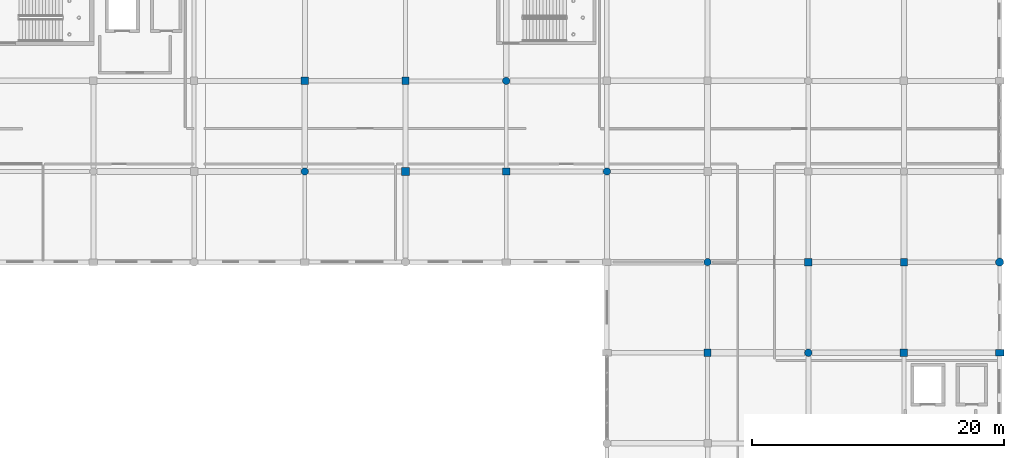
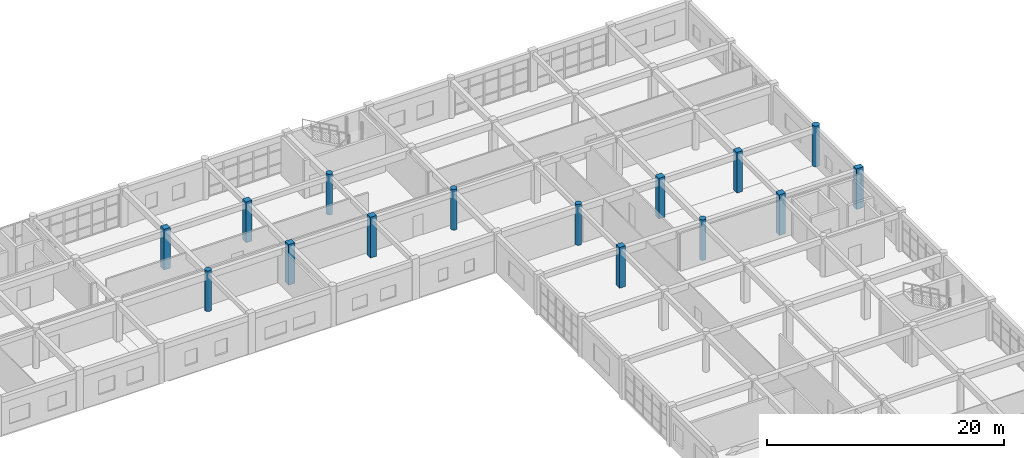
# One storey, part 6 of 53: 15 columns.
"""IFC4 building model written with IfcOpenShell, lengths in metres."""

from ifc_helpers import new_model, si_unit, direction, frame, origin, origin_2d, place, context, subcontext, project, spatial, rectangle, circle, extrude, material, material_profile, profile_set, type_object, element, save


model = new_model("IFC4")

# Units and contexts
model_context = context("Model", 3, precision=1e-05, world=origin(), true_north=direction((0.0, 1.0)))
body_context = subcontext(model_context, "Body", "Model", "MODEL_VIEW")
ifc_project = project(units=[si_unit("LENGTHUNIT", "METRE"), si_unit("AREAUNIT", "SQUARE_METRE"), si_unit("VOLUMEUNIT", "CUBIC_METRE"), si_unit("PLANEANGLEUNIT", "RADIAN"), si_unit("MASSUNIT", "GRAM", prefix="KILO")], contexts=[model_context])

# Site, building, storey
site_placement = place(None, origin())
site = spatial("IfcSite", under=ifc_project, at=site_placement, CompositionType="ELEMENT")
building_placement = place(site_placement, origin())
building = spatial("IfcBuilding", under=site, at=building_placement, Name="Kharva Crest Polytechnic", CompositionType="ELEMENT")
storey_placement = place(building_placement, frame((0.0, 0.0, 17.39990234375)))
storey = spatial("IfcBuildingStorey", under=building, at=storey_placement, Name="L04", CompositionType="ELEMENT", Elevation=17.39990234375)

# Columns
ifc_material = material(Name="Concrete C40/50", Category="concrete")
ifc_material_profile_1 = material_profile(ifc_material, rectangle(XDim=0.679931640625, YDim=0.5, at=origin_2d()), Name="RECT 680 X 500")
ifc_profile_set_1 = profile_set([ifc_material_profile_1], Name="Concrete C40/50")
column_type_1 = type_object("IfcColumnType", Name="COL-EXT-680X500", PredefinedType="COLUMN", material=ifc_profile_set_1)
column_1_placement = place(storey_placement, frame((184.0, 93.199951171875, 0.0), z_axis=(0.0, 0.0, 1.0), x_axis=(1.0, 0.0, 0.0)))
element("IfcColumn", 1, at=column_1_placement, inside=storey, type_object=column_type_1, Name="L04 Column 24/N", PredefinedType="COLUMN", context=body_context, shape_type="SweptSolid", body=[
    extrude(rectangle(XDim=0.679931640625, YDim=0.5, at=origin_2d()), origin(), (0.0, 0.0, 1.0), 4.2001953125),
])
ifc_material_profile_2 = material_profile(ifc_material, circle(Radius=0.320068359375, at=origin_2d()), Name="DIA 640")
ifc_profile_set_2 = profile_set([ifc_material_profile_2], Name="Concrete C40/50")
column_type_2 = type_object("IfcColumnType", Name="COL-EXT-DIA640", PredefinedType="COLUMN", material=ifc_profile_set_2)
column_2_placement = place(storey_placement, frame((184.0, 100.39990234375, 0.0), z_axis=(0.0, 0.0, 1.0), x_axis=(1.0, 0.0, 0.0)))
element("IfcColumn", 2, at=column_2_placement, inside=storey, type_object=column_type_2, Name="L04 Column 24/P", PredefinedType="COLUMN", context=body_context, shape_type="SweptSolid", body=[
    extrude(circle(Radius=0.320068359375, at=origin_2d()), origin(), (0.0, 0.0, 1.0), 4.2001953125),
])
ifc_material_profile_3 = material_profile(ifc_material, rectangle(XDim=0.580078125, YDim=0.580078125, at=origin_2d()), Name="RECT 580 X 580")
ifc_profile_set_3 = profile_set([ifc_material_profile_3], Name="Concrete C40/50")
column_type_3 = type_object("IfcColumnType", Name="COL-INT-580X580", PredefinedType="COLUMN", material=ifc_profile_set_3)
for number, where, z_axis, x_axis, name in (
    (3, (136.800048828125, 114.800048828125, 0.0), (0.0, 0.0, 1.0), (1.0, 0.0, 0.0), "L04 Column 18/R"),
    (4, (144.800048828125, 107.60009765625, 0.0), (0.0, 0.0, 1.0), (1.0, 0.0, 0.0), "L04 Column 19/Q"),
    (5, (160.800048828125, 93.199951171875, 0.0), (0.0, 0.0, 1.0), (1.0, 0.0, 0.0), "L04 Column 21/N"),
    (6, (176.39990234375, 100.39990234375, 0.0), (0.0, 0.0, 1.0), (1.0, 0.0, 0.0), "L04 Column 23/P"),
):
    element("IfcColumn", number, at=place(storey_placement, frame(where, z_axis=z_axis, x_axis=x_axis)), inside=storey, type_object=column_type_3, Name=name, PredefinedType="COLUMN", context=body_context, shape_type="SweptSolid", body=[
        extrude(rectangle(XDim=0.580078125, YDim=0.580078125, at=origin_2d()), origin(), (0.0, 0.0, 1.0), 4.2001953125),
    ])
ifc_material_profile_4 = material_profile(ifc_material, rectangle(XDim=0.60009765625, YDim=0.60009765625, at=origin_2d()), Name="RECT 600 X 600")
ifc_profile_set_4 = profile_set([ifc_material_profile_4], Name="Concrete C40/50")
column_type_4 = type_object("IfcColumnType", Name="COL-INT-600X600", PredefinedType="COLUMN", material=ifc_profile_set_4)
for number, where, z_axis, x_axis, name in (
    (7, (128.800048828125, 114.800048828125, 0.0), (0.0, 0.0, 1.0), (1.0, 0.0, 0.0), "L04 Column 17/R"),
    (8, (136.800048828125, 107.60009765625, 0.0), (0.0, 0.0, 1.0), (1.0, 0.0, 0.0), "L04 Column 18/Q"),
    (9, (168.800048828125, 100.39990234375, 0.0), (0.0, 0.0, 1.0), (1.0, 0.0, 0.0), "L04 Column 22/P"),
    (10, (176.39990234375, 93.199951171875, 0.0), (0.0, 0.0, 1.0), (1.0, 0.0, 0.0), "L04 Column 23/N"),
):
    element("IfcColumn", number, at=place(storey_placement, frame(where, z_axis=z_axis, x_axis=x_axis)), inside=storey, type_object=column_type_4, Name=name, PredefinedType="COLUMN", context=body_context, shape_type="SweptSolid", body=[
        extrude(rectangle(XDim=0.60009765625, YDim=0.60009765625, at=origin_2d()), origin(), (0.0, 0.0, 1.0), 4.2001953125),
    ])
ifc_material_profile_5 = material_profile(ifc_material, circle(Radius=0.2900390625, at=origin_2d()), Name="DIA 580")
ifc_profile_set_5 = profile_set([ifc_material_profile_5], Name="Concrete C40/50")
column_type_5 = type_object("IfcColumnType", Name="COL-INT-DIA580", PredefinedType="COLUMN", material=ifc_profile_set_5)
for number, where, z_axis, x_axis, name in (
    (11, (128.800048828125, 107.60009765625, 0.0), (0.0, 0.0, 1.0), (1.0, 0.0, 0.0), "L04 Column 17/Q"),
    (12, (144.800048828125, 114.800048828125, 0.0), (0.0, 0.0, 1.0), (1.0, 0.0, 0.0), "L04 Column 19/R"),
    (13, (152.800048828125, 107.60009765625, 0.0), (0.0, 0.0, 1.0), (1.0, 0.0, 0.0), "L04 Column 20/Q"),
    (14, (160.800048828125, 100.39990234375, 0.0), (0.0, 0.0, 1.0), (1.0, 0.0, 0.0), "L04 Column 21/P"),
    (15, (168.800048828125, 93.199951171875, 0.0), (0.0, 0.0, 1.0), (1.0, 0.0, 0.0), "L04 Column 22/N"),
):
    element("IfcColumn", number, at=place(storey_placement, frame(where, z_axis=z_axis, x_axis=x_axis)), inside=storey, type_object=column_type_5, Name=name, PredefinedType="COLUMN", context=body_context, shape_type="SweptSolid", body=[
        extrude(circle(Radius=0.2900390625, at=origin_2d()), origin(), (0.0, 0.0, 1.0), 4.2001953125),
    ])

save(model, "model.ifc")
